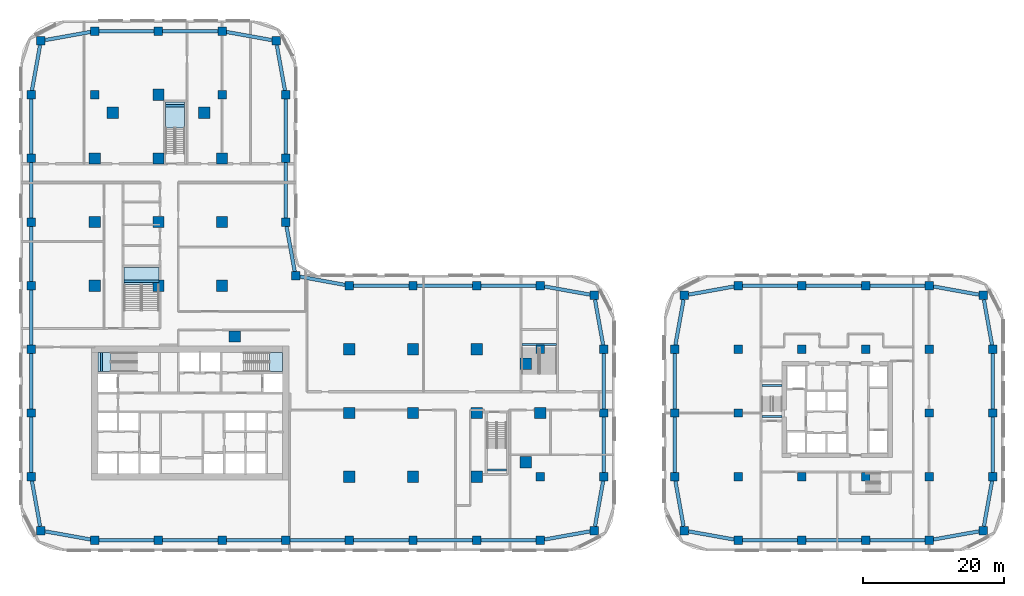
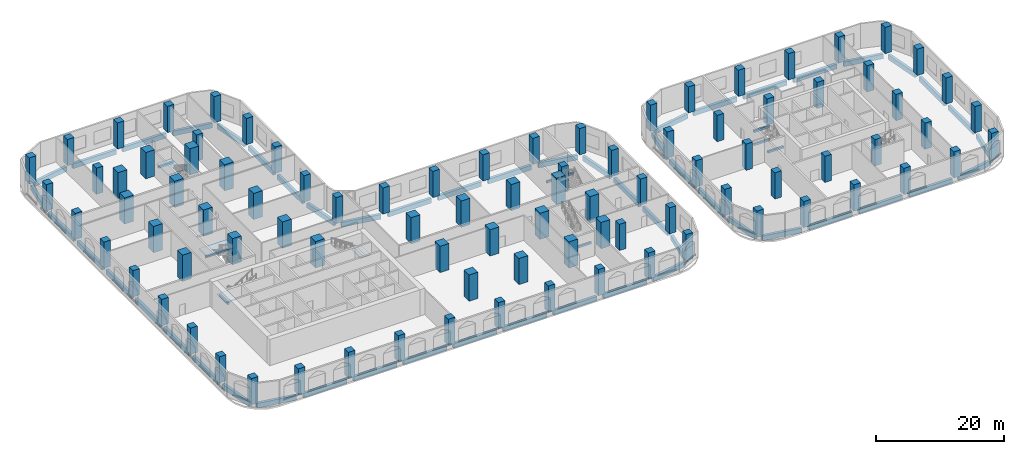
# One storey, part 1 of 31: 91 columns, 60 beams, 4 slabs, 4 elements without a shape of their own.
"""IFC4 building model written with IfcOpenShell, lengths in metres."""

import ifcopenshell
import ifcopenshell.guid

model = None  # the IFC model being written
_history = None  # IfcOwnerHistory: only IFC2X3 demands one
_inside = {}  # id of a spatial element -> (the spatial element, [elements in it])
_under = {}  # id of a project, library or spatial element -> (it, [spatial elements below it])
_declared = {}  # id of a project -> (the project, [libraries it declares])
_typed = {}  # id of a type object -> (the type object, [elements of that type])
_made_of = {}  # id of a material, layer set ... -> (it, [elements and type objects made of it])


def new_model(schema):
    """Start an empty IFC model of exactly this schema.

    Asked for "IFC4X3", IfcOpenShell would pick the latest addendum, in which some entities
    have other attributes; the version numbers below select the first issue.
    IFC2X3 requires an IfcOwnerHistory on every rooted entity: one is made here for all.
    """
    global model, _history
    if schema == "IFC4X3":
        model = ifcopenshell.file(schema_version=(4, 3, 0, 0))
    else:
        model = ifcopenshell.file(schema=schema)
    _inside.clear()
    _under.clear()
    _declared.clear()
    _typed.clear()
    _made_of.clear()
    _history = None
    if model.schema == "IFC2X3":
        org = make("IfcOrganization", Name="unknown")
        user = make(
            "IfcPersonAndOrganization",
            ThePerson=make("IfcPerson", FamilyName="unknown"),
            TheOrganization=org,
        )
        app = make(
            "IfcApplication",
            ApplicationDeveloper=org,
            Version="unknown",
            ApplicationFullName="unknown",
            ApplicationIdentifier="unknown",
        )
        _history = make(
            "IfcOwnerHistory",
            OwningUser=user,
            OwningApplication=app,
            ChangeAction="ADDED",
            CreationDate=0,
        )
    return model


def make(cls, **values):
    """One entity of the class cls with the attributes given. An attribute that is None is left unset."""
    return model.create_entity(
        cls, **{name: value for name, value in values.items() if value is not None}
    )


def rooted(cls, **values):
    """An entity with a GlobalId (a new one), such as an element, a storey or a relation."""
    return make(cls, GlobalId=ifcopenshell.guid.new(), OwnerHistory=_history, **values)


def si_unit(unit_type, name, prefix=None):
    """IfcSIUnit, for example si_unit("LENGTHUNIT", "METRE", prefix="MILLI")."""
    return make("IfcSIUnit", UnitType=unit_type, Prefix=prefix, Name=name)


def assignment(units):
    """IfcUnitAssignment: the units of a project."""
    return None if units is None else make("IfcUnitAssignment", Units=units)


def point(xyz):
    """IfcCartesianPoint."""
    return None if xyz is None else make("IfcCartesianPoint", Coordinates=xyz)


def direction(xyz):
    """IfcDirection."""
    return None if xyz is None else make("IfcDirection", DirectionRatios=xyz)


def frame(location, z_axis=None, x_axis=None):
    """IfcAxis2Placement3D, a coordinate frame: its origin and axes. An axis left out is left unset."""
    return make(
        "IfcAxis2Placement3D",
        Location=point(location),
        Axis=direction(z_axis),
        RefDirection=direction(x_axis),
    )


def frame_2d(location, x_axis=None):
    """IfcAxis2Placement2D, a coordinate frame in the plane: its origin and x axis."""
    return make(
        "IfcAxis2Placement2D", Location=point(location), RefDirection=direction(x_axis)
    )


def origin():
    """The frame at (0, 0, 0) with its axes left unset."""
    return frame((0.0, 0.0, 0.0))


def origin_2d():
    """The frame at (0, 0) in the plane with its x axis left unset."""
    return frame_2d((0.0, 0.0))


def place(relative_to, where):
    """IfcLocalPlacement: puts the frame where relative to a parent placement (None: the world)."""
    return make(
        "IfcLocalPlacement", PlacementRelTo=relative_to, RelativePlacement=where
    )


def context(
    kind, dimensions, precision=None, world=None, true_north=None, identifier=None
):
    """IfcGeometricRepresentationContext, for example the 3D "Model" context."""
    return make(
        "IfcGeometricRepresentationContext",
        ContextIdentifier=identifier,
        ContextType=kind,
        CoordinateSpaceDimension=dimensions,
        Precision=precision,
        WorldCoordinateSystem=world,
        TrueNorth=true_north,
    )


def subcontext(parent, identifier, kind, view, scale=None):
    """IfcGeometricRepresentationSubContext, for example "Body" below "Model"."""
    return make(
        "IfcGeometricRepresentationSubContext",
        ContextIdentifier=identifier,
        ContextType=kind,
        ParentContext=parent,
        TargetScale=scale,
        TargetView=view,
    )


def project(units=None, contexts=None):
    """IfcProject with its units and contexts."""
    return rooted(
        "IfcProject",
        Name="project",
        RepresentationContexts=contexts,
        UnitsInContext=assignment(units),
    )


def spatial(cls, under=None, at=None, **own):
    """A site, building, storey or space (cls), placed at a placement, below another one or the project."""
    s = rooted(cls, ObjectPlacement=at, **own)
    if under is not None:
        _under.setdefault(under.id(), (under, []))[1].append(s)
    return s


def polyline(points):
    """IfcPolyline through the points."""
    return make("IfcPolyline", Points=[point(p) for p in points])


def profile(cls, at=None, kind="AREA", **sizes):
    """A parametric profile (cls). Its sizes go by their IFC names, for example OverallWidth=200.0."""
    return make(cls, ProfileType=kind, Position=at, **sizes)


def rectangle(**sizes):
    """IfcRectangleProfileDef."""
    return profile("IfcRectangleProfileDef", **sizes)


def outline(outer, holes=None, kind="AREA"):
    """IfcArbitraryClosedProfileDef: a profile drawn as a closed curve; with holes, ...WithVoids."""
    if holes is None:
        return make("IfcArbitraryClosedProfileDef", ProfileType=kind, OuterCurve=outer)
    return make(
        "IfcArbitraryProfileDefWithVoids",
        ProfileType=kind,
        OuterCurve=outer,
        InnerCurves=holes,
    )


def extrude(swept, where, along, depth):
    """IfcExtrudedAreaSolid: the profile swept, set in the frame where, extruded along a direction by depth."""
    return make(
        "IfcExtrudedAreaSolid",
        SweptArea=swept,
        Position=where,
        ExtrudedDirection=direction(along),
        Depth=depth,
    )


def shape(context_of_items, identifier, shape_type, items):
    """IfcShapeRepresentation: the items that make up one representation, for example the "Body"."""
    return make(
        "IfcShapeRepresentation",
        ContextOfItems=context_of_items,
        RepresentationIdentifier=identifier,
        RepresentationType=shape_type,
        Items=items,
    )


def material(Name=None, Category=None):
    """IfcMaterial."""
    return make("IfcMaterial", Name=Name, Category=Category)


def layer(
    of_material, thickness, ventilated=None, Name=None, Category=None, Priority=None
):
    """IfcMaterialLayer: one layer of a wall or slab, of a material (None: an air gap)."""
    return make(
        "IfcMaterialLayer",
        Material=of_material,
        LayerThickness=thickness,
        IsVentilated=ventilated,
        Name=Name,
        Category=Category,
        Priority=Priority,
    )


def layer_set(layers, Name=None):
    """IfcMaterialLayerSet."""
    return make("IfcMaterialLayerSet", MaterialLayers=layers, LayerSetName=Name)


def material_profile(
    of_material, cross_section, Name=None, Category=None, Priority=None
):
    """IfcMaterialProfile: a cross section and its material."""
    return make(
        "IfcMaterialProfile",
        Name=Name,
        Material=of_material,
        Profile=cross_section,
        Priority=Priority,
        Category=Category,
    )


def profile_set(profiles, Name=None, composite=None):
    """IfcMaterialProfileSet."""
    return make(
        "IfcMaterialProfileSet",
        Name=Name,
        MaterialProfiles=profiles,
        CompositeProfile=composite,
    )


def made_of(thing, what):
    """Note that an element or type object is made of a material, layer set ...; save() writes the relation."""
    if what is not None:
        _made_of.setdefault(what.id(), (what, []))[1].append(thing)
    return thing


def type_object(cls, material=None, **own):
    """A type object (cls), such as IfcWallType, which elements share."""
    return made_of(rooted(cls, **own), material)


def element(
    cls,
    number,
    at=None,
    inside=None,
    cuts=None,
    type_object=None,
    material=None,
    context=None,
    identifier="Body",
    shape_type=None,
    held_by="IfcProductDefinitionShape",
    body=None,
    shapes=None,
    **own,
):
    """One element of the class cls, such as IfcWall. Its Tag is "e" and its number.

    at: its placement. inside: the storey or other place that contains it. cuts: it is an
    opening in that element (IfcRelVoidsElement). A single representation is given by context,
    identifier, shape_type and body (its items); several are given by shapes. held_by: the class
    of the entity that holds the representations. save() writes the other relations.
    """
    e = rooted(cls, Tag="e%d" % number, ObjectPlacement=at, **own)
    if body is not None:
        shapes = [shape(context, identifier, shape_type, body)]
    if shapes is not None:
        e.Representation = make(held_by, Representations=shapes)
    if inside is not None:
        _inside.setdefault(inside.id(), (inside, []))[1].append(e)
    if cuts is not None:
        rooted(
            "IfcRelVoidsElement", RelatingBuildingElement=cuts, RelatedOpeningElement=e
        )
    if type_object is not None:
        _typed.setdefault(type_object.id(), (type_object, []))[1].append(e)
    return made_of(e, material)


def aggregate(whole, parts):
    """IfcRelAggregates: a whole, such as a stair, and the parts it consists of."""
    return rooted("IfcRelAggregates", RelatingObject=whole, RelatedObjects=parts)


def save(model, path):
    """Write the relations noted so far, then the file.

    IfcRelAggregates (storeys below a building ...), IfcRelContainedInSpatialStructure (elements
    in a storey), IfcRelDefinesByType, IfcRelAssociatesMaterial and IfcRelDeclares: one each for
    every whole, place, type object, material and project.
    """
    for whole, parts in _under.values():
        aggregate(whole, parts)
    for where, things in _inside.values():
        rooted(
            "IfcRelContainedInSpatialStructure",
            RelatedElements=things,
            RelatingStructure=where,
        )
    for kind, things in _typed.values():
        rooted("IfcRelDefinesByType", RelatedObjects=things, RelatingType=kind)
    for what, things in _made_of.values():
        rooted("IfcRelAssociatesMaterial", RelatedObjects=things, RelatingMaterial=what)
    for by, libraries in _declared.values():
        rooted("IfcRelDeclares", RelatingContext=by, RelatedDefinitions=libraries)
    model.write(path)


model = new_model("IFC4")

# Units and contexts
model_context = context("Model", 3, precision=1e-05, world=origin(), true_north=direction((0.0, 1.0)))
body_context = subcontext(model_context, "Body", "Model", "MODEL_VIEW")
ifc_project = project(units=[si_unit("LENGTHUNIT", "METRE"), si_unit("AREAUNIT", "SQUARE_METRE"), si_unit("VOLUMEUNIT", "CUBIC_METRE"), si_unit("PLANEANGLEUNIT", "RADIAN"), si_unit("MASSUNIT", "GRAM", prefix="KILO")], contexts=[model_context])

# Site, building, storey
site_placement = place(None, origin())
site = spatial("IfcSite", under=ifc_project, at=site_placement, CompositionType="ELEMENT")
building_placement = place(site_placement, origin())
building = spatial("IfcBuilding", under=site, at=building_placement, Name="Ogive Portal Towers", CompositionType="ELEMENT")
storey_placement = place(building_placement, frame((0.0, 0.0, 13.5)))
storey = spatial("IfcBuildingStorey", under=building, at=storey_placement, Name="L02", CompositionType="ELEMENT", Elevation=13.5)

# Columns
ifc_material_1 = material(Name="Concrete C50/60", Category="concrete")
ifc_material_profile_1 = material_profile(ifc_material_1, rectangle(XDim=1.199951171875, YDim=1.199951171875, at=origin_2d()), Name="RC 1200x1200")
ifc_profile_set_1 = profile_set([ifc_material_profile_1], Name="Concrete C50/60")
column_type_1 = type_object("IfcColumnType", Name="COLUMN RC 1200x1200", PredefinedType="COLUMN", material=ifc_profile_set_1)
for number, where, z_axis, x_axis, name in (
    (1, (31.5, 12.5, 0.0), (0.0, 0.0, 1.0), (1.0, 0.0, 0.0), "Column 1/Z L02"),
    (2, (40.5, 12.5, 0.0), (0.0, 0.0, 1.0), (1.0, 0.0, 0.0), "Column 2/Z L02"),
    (3, (49.5, 12.5, 0.0), (0.0, 0.0, 1.0), (1.0, 0.0, 0.0), "Column 3/Z L02"),
    (4, (58.5, 12.5, 0.0), (0.0, 0.0, 1.0), (1.0, 0.0, 0.0), "Column 4/Z L02"),
    (5, (67.5, 12.5, 0.0), (0.0, 0.0, 1.0), (1.0, 0.0, 0.0), "Column 5/Z L02"),
    (6, (76.5, 12.5, 0.0), (0.0, 0.0, 1.0), (1.0, 0.0, 0.0), "Column 6/Z L02"),
    (7, (85.5, 12.5, 0.0), (0.0, 0.0, 1.0), (1.0, 0.0, 0.0), "Column 7/Z L02"),
    (8, (94.5, 12.5, 0.0), (0.0, 0.0, 1.0), (1.0, 0.0, 0.0), "Column 8/Z L02"),
    (9, (23.8701171875, 13.8701171875, 0.0), (0.0, 0.0, 1.0), (1.0, 0.0, 0.0), "Column L02"),
    (10, (102.1298828125, 13.8701171875, 0.0), (0.0, 0.0, 1.0), (1.0, 0.0, 0.0), "Column L02"),
    (11, (22.5, 21.5, 0.0), (0.0, 0.0, 1.0), (1.0, 0.0, 0.0), "Column 0/A L02"),
    (12, (94.5, 21.5, 0.0), (0.0, 0.0, 1.0), (1.0, 0.0, 0.0), "Column 8/A L02"),
    (13, (103.5, 21.5, 0.0), (0.0, 0.0, 1.0), (1.0, 0.0, 0.0), "Column 9/A L02"),
    (14, (22.5, 30.5, 0.0), (0.0, 0.0, 1.0), (1.0, 0.0, 0.0), "Column 0/B L02"),
    (15, (103.5, 30.5, 0.0), (0.0, 0.0, 1.0), (1.0, 0.0, 0.0), "Column 9/B L02"),
    (16, (22.5, 39.5, 0.0), (0.0, 0.0, 1.0), (1.0, 0.0, 0.0), "Column 0/C L02"),
    (17, (94.5, 39.5, 0.0), (0.0, 0.0, 1.0), (1.0, 0.0, 0.0), "Column 8/C L02"),
    (18, (103.5, 39.5, 0.0), (0.0, 0.0, 1.0), (1.0, 0.0, 0.0), "Column 9/C L02"),
    (19, (102.1298828125, 47.1298828125, 0.0), (0.0, 0.0, 1.0), (1.0, 0.0, 0.0), "Column L02"),
    (20, (22.5, 48.5, 0.0), (0.0, 0.0, 1.0), (1.0, 0.0, 0.0), "Column 0/D L02"),
    (21, (67.5, 48.5, 0.0), (0.0, 0.0, 1.0), (1.0, 0.0, 0.0), "Column 5/D L02"),
    (22, (76.5, 48.5, 0.0), (0.0, 0.0, 1.0), (1.0, 0.0, 0.0), "Column 6/D L02"),
    (23, (85.5, 48.5, 0.0), (0.0, 0.0, 1.0), (1.0, 0.0, 0.0), "Column 7/D L02"),
    (24, (94.5, 48.5, 0.0), (0.0, 0.0, 1.0), (1.0, 0.0, 0.0), "Column 8/D L02"),
    (25, (59.889892578125, 49.889892578125, 0.0), (0.0, 0.0, 1.0), (1.0, 0.0, 0.0), "Column L02"),
    (26, (22.5, 57.5, 0.0), (0.0, 0.0, 1.0), (1.0, 0.0, 0.0), "Column 0/E L02"),
    (27, (58.5, 57.5, 0.0), (0.0, 0.0, 1.0), (1.0, 0.0, 0.0), "Column 4/E L02"),
    (28, (22.5, 66.5, 0.0), (0.0, 0.0, 1.0), (1.0, 0.0, 0.0), "Column 0/F L02"),
    (29, (58.5, 66.5, 0.0), (0.0, 0.0, 1.0), (1.0, 0.0, 0.0), "Column 4/F L02"),
    (30, (22.5, 75.5, 0.0), (0.0, 0.0, 1.0), (1.0, 0.0, 0.0), "Column 0/G L02"),
    (31, (31.5, 75.5, 0.0), (0.0, 0.0, 1.0), (1.0, 0.0, 0.0), "Column 1/G L02"),
    (32, (49.5, 75.5, 0.0), (0.0, 0.0, 1.0), (1.0, 0.0, 0.0), "Column 3/G L02"),
    (33, (58.5, 75.5, 0.0), (0.0, 0.0, 1.0), (1.0, 0.0, 0.0), "Column 4/G L02"),
    (34, (23.8701171875, 83.1298828125, 0.0), (0.0, 0.0, 1.0), (1.0, 0.0, 0.0), "Column L02"),
    (35, (57.1298828125, 83.1298828125, 0.0), (0.0, 0.0, 1.0), (1.0, 0.0, 0.0), "Column L02"),
    (36, (31.5, 84.5, 0.0), (0.0, 0.0, 1.0), (1.0, 0.0, 0.0), "Column 1/H1 L02"),
    (37, (40.5, 84.5, 0.0), (0.0, 0.0, 1.0), (1.0, 0.0, 0.0), "Column 2/H1 L02"),
    (38, (49.5, 84.5, 0.0), (0.0, 0.0, 1.0), (1.0, 0.0, 0.0), "Column 3/H1 L02"),
    (39, (122.5, 12.5, 0.0), (0.0, 0.0, 1.0), (1.0, 0.0, 0.0), "Column P2/Q1 L02"),
    (40, (131.5, 12.5, 0.0), (0.0, 0.0, 1.0), (1.0, 0.0, 0.0), "Column P3/Q1 L02"),
    (41, (140.5, 12.5, 0.0), (0.0, 0.0, 1.0), (1.0, 0.0, 0.0), "Column P4/Q1 L02"),
    (42, (149.5, 12.5, 0.0), (0.0, 0.0, 1.0), (1.0, 0.0, 0.0), "Column P5/Q1 L02"),
    (43, (114.8701171875, 13.8701171875, 0.0), (0.0, 0.0, 1.0), (1.0, 0.0, 0.0), "Column L02"),
    (44, (157.1298828125, 13.8701171875, 0.0), (0.0, 0.0, 1.0), (1.0, 0.0, 0.0), "Column L02"),
    (45, (113.5, 21.5, 0.0), (0.0, 0.0, 1.0), (1.0, 0.0, 0.0), "Column P1/Q2 L02"),
    (46, (122.5, 21.5, 0.0), (0.0, 0.0, 1.0), (1.0, 0.0, 0.0), "Column P2/Q2 L02"),
    (47, (131.5, 21.5, 0.0), (0.0, 0.0, 1.0), (1.0, 0.0, 0.0), "Column P3/Q2 L02"),
    (48, (140.5, 21.5, 0.0), (0.0, 0.0, 1.0), (1.0, 0.0, 0.0), "Column P4/Q2 L02"),
    (49, (149.5, 21.5, 0.0), (0.0, 0.0, 1.0), (1.0, 0.0, 0.0), "Column P5/Q2 L02"),
    (50, (158.5, 21.5, 0.0), (0.0, 0.0, 1.0), (1.0, 0.0, 0.0), "Column P6/Q2 L02"),
    (51, (113.5, 30.5, 0.0), (0.0, 0.0, 1.0), (1.0, 0.0, 0.0), "Column P1/Q3 L02"),
    (52, (122.5, 30.5, 0.0), (0.0, 0.0, 1.0), (1.0, 0.0, 0.0), "Column P2/Q3 L02"),
    (53, (149.5, 30.5, 0.0), (0.0, 0.0, 1.0), (1.0, 0.0, 0.0), "Column P5/Q3 L02"),
    (54, (158.5, 30.5, 0.0), (0.0, 0.0, 1.0), (1.0, 0.0, 0.0), "Column P6/Q3 L02"),
    (55, (113.5, 39.5, 0.0), (0.0, 0.0, 1.0), (1.0, 0.0, 0.0), "Column P1/Q4 L02"),
    (56, (122.5, 39.5, 0.0), (0.0, 0.0, 1.0), (1.0, 0.0, 0.0), "Column P2/Q4 L02"),
    (57, (131.5, 39.5, 0.0), (0.0, 0.0, 1.0), (1.0, 0.0, 0.0), "Column P3/Q4 L02"),
    (58, (140.5, 39.5, 0.0), (0.0, 0.0, 1.0), (1.0, 0.0, 0.0), "Column P4/Q4 L02"),
    (59, (149.5, 39.5, 0.0), (0.0, 0.0, 1.0), (1.0, 0.0, 0.0), "Column P5/Q4 L02"),
    (60, (158.5, 39.5, 0.0), (0.0, 0.0, 1.0), (1.0, 0.0, 0.0), "Column P6/Q4 L02"),
    (61, (114.8701171875, 47.1298828125, 0.0), (0.0, 0.0, 1.0), (1.0, 0.0, 0.0), "Column L02"),
    (62, (157.1298828125, 47.1298828125, 0.0), (0.0, 0.0, 1.0), (1.0, 0.0, 0.0), "Column L02"),
    (63, (122.5, 48.5, 0.0), (0.0, 0.0, 1.0), (1.0, 0.0, 0.0), "Column P2/Q5 L02"),
    (64, (131.5, 48.5, 0.0), (0.0, 0.0, 1.0), (1.0, 0.0, 0.0), "Column P3/Q5 L02"),
    (65, (140.5, 48.5, 0.0), (0.0, 0.0, 1.0), (1.0, 0.0, 0.0), "Column P4/Q5 L02"),
    (66, (149.5, 48.5, 0.0), (0.0, 0.0, 1.0), (1.0, 0.0, 0.0), "Column P5/Q5 L02"),
):
    element("IfcColumn", number, at=place(storey_placement, frame(where, z_axis=z_axis, x_axis=x_axis)), inside=storey, type_object=column_type_1, Name=name, PredefinedType="COLUMN", context=body_context, shape_type="SweptSolid", body=[
        extrude(rectangle(XDim=1.199951171875, YDim=1.199951171875, at=origin_2d()), origin(), (0.0, 0.0, 1.0), 5.0),
    ])
ifc_material_2 = material(Name="Concrete C60/75", Category="concrete")
ifc_material_profile_2 = material_profile(ifc_material_2, rectangle(XDim=1.60009765625, YDim=1.60009765625, at=origin_2d()), Name="RC 1600x1600")
ifc_profile_set_2 = profile_set([ifc_material_profile_2], Name="Concrete C60/75")
column_type_2 = type_object("IfcColumnType", Name="COLUMN RC 1600x1600", PredefinedType="COLUMN", material=ifc_profile_set_2)
for number, where, z_axis, x_axis, name in (
    (67, (67.5, 21.5, 0.0), (0.0, 0.0, 1.0), (1.0, 0.0, 0.0), "Column 5/A L02"),
    (68, (76.5, 21.5, 0.0), (0.0, 0.0, 1.0), (1.0, 0.0, 0.0), "Column 6/A L02"),
    (69, (85.5, 21.5, 0.0), (0.0, 0.0, 1.0), (1.0, 0.0, 0.0), "Column 7/A L02"),
    (70, (67.5, 30.5, 0.0), (0.0, 0.0, 1.0), (1.0, 0.0, 0.0), "Column 5/B L02"),
    (71, (76.5, 30.5, 0.0), (0.0, 0.0, 1.0), (1.0, 0.0, 0.0), "Column 6/B L02"),
    (72, (85.5, 30.5, 0.0), (0.0, 0.0, 1.0), (1.0, 0.0, 0.0), "Column 7/B L02"),
    (73, (94.5, 30.5, 0.0), (0.0, 0.0, 1.0), (1.0, 0.0, 0.0), "Column 8/B L02"),
    (74, (67.5, 39.5, 0.0), (0.0, 0.0, 1.0), (1.0, 0.0, 0.0), "Column 5/C L02"),
    (75, (76.5, 39.5, 0.0), (0.0, 0.0, 1.0), (1.0, 0.0, 0.0), "Column 6/C L02"),
    (76, (85.5, 39.5, 0.0), (0.0, 0.0, 1.0), (1.0, 0.0, 0.0), "Column 7/C L02"),
    (77, (31.5, 48.5, 0.0), (0.0, 0.0, 1.0), (1.0, 0.0, 0.0), "Column 1/D L02"),
    (78, (40.5, 48.5, 0.0), (0.0, 0.0, 1.0), (1.0, 0.0, 0.0), "Column 2/D L02"),
    (79, (49.5, 48.5, 0.0), (0.0, 0.0, 1.0), (1.0, 0.0, 0.0), "Column 3/D L02"),
    (80, (31.5, 57.5, 0.0), (0.0, 0.0, 1.0), (1.0, 0.0, 0.0), "Column 1/E L02"),
    (81, (40.5, 57.5, 0.0), (0.0, 0.0, 1.0), (1.0, 0.0, 0.0), "Column 2/E L02"),
    (82, (49.5, 57.5, 0.0), (0.0, 0.0, 1.0), (1.0, 0.0, 0.0), "Column 3/E L02"),
    (83, (31.5, 66.5, 0.0), (0.0, 0.0, 1.0), (1.0, 0.0, 0.0), "Column 1/F L02"),
    (84, (40.5, 66.5, 0.0), (0.0, 0.0, 1.0), (1.0, 0.0, 0.0), "Column 2/F L02"),
    (85, (49.5, 66.5, 0.0), (0.0, 0.0, 1.0), (1.0, 0.0, 0.0), "Column 3/F L02"),
    (86, (40.5, 75.5, 0.0), (0.0, 0.0, 1.0), (1.0, 0.0, 0.0), "Column 2/G L02"),
    (87, (34.030029296875, 72.969970703125, 0.0), (0.0, 0.0, 1.0), (1.0, 0.0, 0.0), "Column L02"),
    (88, (46.969970703125, 72.969970703125, 0.0), (0.0, 0.0, 1.0), (1.0, 0.0, 0.0), "Column L02"),
    (89, (51.31005859375, 41.31005859375, 0.0), (0.0, 0.0, 1.0), (1.0, 0.0, 0.0), "Column L02"),
    (90, (92.449951171875, 23.550048828125, 0.0), (0.0, 0.0, 1.0), (1.0, 0.0, 0.0), "Column L02"),
    (91, (92.449951171875, 37.449951171875, 0.0), (0.0, 0.0, 1.0), (1.0, 0.0, 0.0), "Column L02"),
):
    element("IfcColumn", number, at=place(storey_placement, frame(where, z_axis=z_axis, x_axis=x_axis)), inside=storey, type_object=column_type_2, Name=name, PredefinedType="COLUMN", context=body_context, shape_type="SweptSolid", body=[
        extrude(rectangle(XDim=1.60009765625, YDim=1.60009765625, at=origin_2d()), origin(), (0.0, 0.0, 1.0), 5.0),
    ])

# Beams
ifc_material_3 = material(Name="Concrete C40/50", Category="concrete")
ifc_material_profile_3 = material_profile(ifc_material_3, rectangle(XDim=0.300048828125, YDim=0.39990234375, at=origin_2d()), Name="RC 300x400")
ifc_profile_set_3 = profile_set([ifc_material_profile_3], Name="Concrete C40/50")
beam_type_1 = type_object("IfcBeamType", Name="BEAM RC 300x400", PredefinedType="BEAM", material=ifc_profile_set_3)
for number, where, z_axis, x_axis, name in (
    (92, (32.449951171875, 36.35009765625, 2.10009765625), (0.0, 1.0, 0.0), (-1.0, 0.0, 0.0), "Landing beam L02"),
    (93, (41.5, 73.949951171875, 2.10009765625), (1.0, 0.0, 0.0), (0.0, 1.0, 0.0), "Landing beam L02"),
    (94, (87.0, 22.449951171875, 2.10009765625), (1.0, 0.0, 0.0), (0.0, 1.0, 0.0), "Landing beam L02"),
):
    element("IfcBeam", number, at=place(storey_placement, frame(where, z_axis=z_axis, x_axis=x_axis)), inside=storey, type_object=beam_type_1, Name=name, PredefinedType="BEAM", context=body_context, shape_type="SweptSolid", body=[
        extrude(rectangle(XDim=0.300048828125, YDim=0.39990234375, at=origin_2d()), origin(), (0.0, 0.0, 1.0), 2.699951171875),
    ])
for number, where, z_axis, x_axis, name in (
    (95, (125.85009765625, 34.39990234375, 0.85009765625), (1.0, 0.0, 0.0), (0.0, 1.0, 0.0), "Landing beam L02"),
    (96, (125.85009765625, 30.0, 2.10009765625), (1.0, 0.0, 0.0), (0.0, 1.0, 0.0), "Landing beam L02"),
    (97, (125.85009765625, 34.39990234375, 3.35009765625), (1.0, 0.0, 0.0), (0.0, 1.0, 0.0), "Landing beam L02"),
):
    element("IfcBeam", number, at=place(storey_placement, frame(where, z_axis=z_axis, x_axis=x_axis)), inside=storey, type_object=beam_type_1, Name=name, PredefinedType="BEAM", context=body_context, shape_type="SweptSolid", body=[
        extrude(rectangle(XDim=0.300048828125, YDim=0.39990234375, at=origin_2d()), origin(), (0.0, 0.0, 1.0), 2.849853515625),
    ])
for number, where, z_axis, x_axis, name in (
    (98, (91.89990234375, 40.18994140625, 2.10009765625), (1.0, 0.0, 0.0), (0.0, 1.0, 0.0), "Landing beam L02"),
    (99, (35.64990234375, 49.139892578125, 2.10009765625), (1.0, 0.0, 0.0), (0.0, 1.0, 0.0), "Landing beam L02"),
):
    element("IfcBeam", number, at=place(storey_placement, frame(where, z_axis=z_axis, x_axis=x_axis)), inside=storey, type_object=beam_type_1, Name=name, PredefinedType="BEAM", context=body_context, shape_type="SweptSolid", body=[
        extrude(rectangle(XDim=0.300048828125, YDim=0.39990234375, at=origin_2d()), origin(), (0.0, 0.0, 1.0), 4.900146484375),
    ])
ifc_material_profile_4 = material_profile(ifc_material_1, rectangle(XDim=0.5, YDim=0.89990234375, at=origin_2d()), Name="RC 500x900")
ifc_profile_set_4 = profile_set([ifc_material_profile_4], Name="Concrete C50/60")
beam_type_2 = type_object("IfcBeamType", Name="PODIUM GIRDER RC 500x900", PredefinedType="BEAM", material=ifc_profile_set_4)
beam_1_placement = place(storey_placement, frame((24.469970703125, 13.76220703125, -0.75), z_axis=(0.984259207685, -0.176730903032, 0.0), x_axis=(0.176730903032, 0.984259207685, 0.0)))
element("IfcBeam", 100, at=beam_1_placement, inside=storey, type_object=beam_type_2, Name="Spandrel beam L02", PredefinedType="BEAM", context=body_context, shape_type="SweptSolid", body=[
    extrude(rectangle(XDim=0.5, YDim=0.89990234375, at=origin_2d()), origin(), (0.0, 0.0, 1.0), 6.53271484375),
])
for number, where, z_axis, x_axis, name in (
    (101, (32.10009765625, 12.5, -0.75), (1.0, 0.0, 0.0), (0.0, 1.0, 0.0), "Spandrel beam L02"),
    (102, (41.10009765625, 12.5, -0.75), (1.0, 0.0, 0.0), (0.0, 1.0, 0.0), "Spandrel beam L02"),
    (103, (50.10009765625, 12.5, -0.75), (1.0, 0.0, 0.0), (0.0, 1.0, 0.0), "Spandrel beam L02"),
    (104, (59.10009765625, 12.5, -0.75), (1.0, 0.0, 0.0), (0.0, 1.0, 0.0), "Spandrel beam L02"),
    (105, (68.10009765625, 12.5, -0.75), (1.0, 0.0, 0.0), (0.0, 1.0, 0.0), "Spandrel beam L02"),
    (106, (77.10009765625, 12.5, -0.75), (1.0, 0.0, 0.0), (0.0, 1.0, 0.0), "Spandrel beam L02"),
    (107, (86.10009765625, 12.5, -0.75), (1.0, 0.0, 0.0), (0.0, 1.0, 0.0), "Spandrel beam L02"),
):
    element("IfcBeam", number, at=place(storey_placement, frame(where, z_axis=z_axis, x_axis=x_axis)), inside=storey, type_object=beam_type_2, Name=name, PredefinedType="BEAM", context=body_context, shape_type="SweptSolid", body=[
        extrude(rectangle(XDim=0.5, YDim=0.89990234375, at=origin_2d()), origin(), (0.0, 0.0, 1.0), 7.7998046875),
    ])
for number, where, z_axis, x_axis, name in (
    (108, (95.10009765625, 12.607666015625, -0.75), (0.984259207685, 0.176730903032, 0.0), (-0.176730903032, 0.984259207685, 0.0), "Spandrel beam L02"),
    (109, (102.23779296875, 14.469970703125, -0.75), (0.176730903032, 0.984259207685, 0.0), (-0.984259207685, 0.176730903032, 0.0), "Spandrel beam L02"),
):
    element("IfcBeam", number, at=place(storey_placement, frame(where, z_axis=z_axis, x_axis=x_axis)), inside=storey, type_object=beam_type_2, Name=name, PredefinedType="BEAM", context=body_context, shape_type="SweptSolid", body=[
        extrude(rectangle(XDim=0.5, YDim=0.89990234375, at=origin_2d()), origin(), (0.0, 0.0, 1.0), 6.53271484375),
    ])
for number, where, z_axis, x_axis, name in (
    (110, (103.5, 22.10009765625, -0.75), (0.0, 1.0, 0.0), (-1.0, 0.0, 0.0), "Spandrel beam L02"),
    (111, (103.5, 31.10009765625, -0.75), (0.0, 1.0, 0.0), (-1.0, 0.0, 0.0), "Spandrel beam L02"),
):
    element("IfcBeam", number, at=place(storey_placement, frame(where, z_axis=z_axis, x_axis=x_axis)), inside=storey, type_object=beam_type_2, Name=name, PredefinedType="BEAM", context=body_context, shape_type="SweptSolid", body=[
        extrude(rectangle(XDim=0.5, YDim=0.89990234375, at=origin_2d()), origin(), (0.0, 0.0, 1.0), 7.7998046875),
    ])
for number, where, z_axis, x_axis, name in (
    (112, (103.392333984375, 40.10009765625, -0.75), (-0.176730903032, 0.984259207685, 0.0), (-0.984259207685, -0.176730903032, 0.0), "Spandrel beam L02"),
    (113, (101.530029296875, 47.23779296875, -0.75), (-0.984259207685, 0.176730903032, 0.0), (-0.176730903032, -0.984259207685, 0.0), "Spandrel beam L02"),
):
    element("IfcBeam", number, at=place(storey_placement, frame(where, z_axis=z_axis, x_axis=x_axis)), inside=storey, type_object=beam_type_2, Name=name, PredefinedType="BEAM", context=body_context, shape_type="SweptSolid", body=[
        extrude(rectangle(XDim=0.5, YDim=0.89990234375, at=origin_2d()), origin(), (0.0, 0.0, 1.0), 6.53271484375),
    ])
for number, where, z_axis, x_axis, name in (
    (114, (93.89990234375, 48.5, -0.75), (-1.0, 0.0, 0.0), (0.0, -1.0, 0.0), "Spandrel beam L02"),
    (115, (84.89990234375, 48.5, -0.75), (-1.0, 0.0, 0.0), (0.0, -1.0, 0.0), "Spandrel beam L02"),
    (116, (75.89990234375, 48.5, -0.75), (-1.0, 0.0, 0.0), (0.0, -1.0, 0.0), "Spandrel beam L02"),
):
    element("IfcBeam", number, at=place(storey_placement, frame(where, z_axis=z_axis, x_axis=x_axis)), inside=storey, type_object=beam_type_2, Name=name, PredefinedType="BEAM", context=body_context, shape_type="SweptSolid", body=[
        extrude(rectangle(XDim=0.5, YDim=0.89990234375, at=origin_2d()), origin(), (0.0, 0.0, 1.0), 7.7998046875),
    ])
for number, where, z_axis, x_axis, name in (
    (117, (66.89990234375, 48.609619140625, -0.75), (-0.983722101747, 0.179696484478, 0.0), (-0.179696484478, -0.983722101747, 0.0), "Spandrel beam L02"),
    (118, (59.780517578125, 50.489990234375, -0.75), (-0.179696484478, 0.983722101747, 0.0), (-0.983722101747, -0.179696484478, 0.0), "Spandrel beam L02"),
):
    element("IfcBeam", number, at=place(storey_placement, frame(where, z_axis=z_axis, x_axis=x_axis)), inside=storey, type_object=beam_type_2, Name=name, PredefinedType="BEAM", context=body_context, shape_type="SweptSolid", body=[
        extrude(rectangle(XDim=0.5, YDim=0.89990234375, at=origin_2d()), origin(), (0.0, 0.0, 1.0), 6.515869140625),
    ])
for number, where, z_axis, x_axis, name in (
    (119, (58.5, 58.10009765625, -0.75), (0.0, 1.0, 0.0), (-1.0, 0.0, 0.0), "Spandrel beam L02"),
    (120, (58.5, 67.10009765625, -0.75), (0.0, 1.0, 0.0), (-1.0, 0.0, 0.0), "Spandrel beam L02"),
):
    element("IfcBeam", number, at=place(storey_placement, frame(where, z_axis=z_axis, x_axis=x_axis)), inside=storey, type_object=beam_type_2, Name=name, PredefinedType="BEAM", context=body_context, shape_type="SweptSolid", body=[
        extrude(rectangle(XDim=0.5, YDim=0.89990234375, at=origin_2d()), origin(), (0.0, 0.0, 1.0), 7.7998046875),
    ])
for number, where, z_axis, x_axis, name in (
    (121, (58.392333984375, 76.10009765625, -0.75), (-0.176730903032, 0.984259207685, 0.0), (-0.984259207685, -0.176730903032, 0.0), "Spandrel beam L02"),
    (122, (56.530029296875, 83.23779296875, -0.75), (-0.984259207685, 0.176730903032, 0.0), (-0.176730903032, -0.984259207685, 0.0), "Spandrel beam L02"),
):
    element("IfcBeam", number, at=place(storey_placement, frame(where, z_axis=z_axis, x_axis=x_axis)), inside=storey, type_object=beam_type_2, Name=name, PredefinedType="BEAM", context=body_context, shape_type="SweptSolid", body=[
        extrude(rectangle(XDim=0.5, YDim=0.89990234375, at=origin_2d()), origin(), (0.0, 0.0, 1.0), 6.53271484375),
    ])
for number, where, z_axis, x_axis, name in (
    (123, (48.89990234375, 84.5, -0.75), (-1.0, 0.0, 0.0), (0.0, -1.0, 0.0), "Spandrel beam L02"),
    (124, (39.89990234375, 84.5, -0.75), (-1.0, 0.0, 0.0), (0.0, -1.0, 0.0), "Spandrel beam L02"),
):
    element("IfcBeam", number, at=place(storey_placement, frame(where, z_axis=z_axis, x_axis=x_axis)), inside=storey, type_object=beam_type_2, Name=name, PredefinedType="BEAM", context=body_context, shape_type="SweptSolid", body=[
        extrude(rectangle(XDim=0.5, YDim=0.89990234375, at=origin_2d()), origin(), (0.0, 0.0, 1.0), 7.7998046875),
    ])
for number, where, z_axis, x_axis, name in (
    (125, (30.89990234375, 84.392333984375, -0.75), (-0.984259207685, -0.176730903032, 0.0), (0.176730903032, -0.984259207685, 0.0), "Spandrel beam L02"),
    (126, (23.76220703125, 82.530029296875, -0.75), (-0.176730903032, -0.984259207685, 0.0), (0.984259207685, -0.176730903032, 0.0), "Spandrel beam L02"),
):
    element("IfcBeam", number, at=place(storey_placement, frame(where, z_axis=z_axis, x_axis=x_axis)), inside=storey, type_object=beam_type_2, Name=name, PredefinedType="BEAM", context=body_context, shape_type="SweptSolid", body=[
        extrude(rectangle(XDim=0.5, YDim=0.89990234375, at=origin_2d()), origin(), (0.0, 0.0, 1.0), 6.53271484375),
    ])
for number, where, z_axis, x_axis, name in (
    (127, (22.5, 74.89990234375, -0.75), (0.0, -1.0, 0.0), (1.0, 0.0, 0.0), "Spandrel beam L02"),
    (128, (22.5, 65.89990234375, -0.75), (0.0, -1.0, 0.0), (1.0, 0.0, 0.0), "Spandrel beam L02"),
    (129, (22.5, 56.89990234375, -0.75), (0.0, -1.0, 0.0), (1.0, 0.0, 0.0), "Spandrel beam L02"),
    (130, (22.5, 47.89990234375, -0.75), (0.0, -1.0, 0.0), (1.0, 0.0, 0.0), "Spandrel beam L02"),
    (131, (22.5, 38.89990234375, -0.75), (0.0, -1.0, 0.0), (1.0, 0.0, 0.0), "Spandrel beam L02"),
    (132, (22.5, 29.89990234375, -0.75), (0.0, -1.0, 0.0), (1.0, 0.0, 0.0), "Spandrel beam L02"),
):
    element("IfcBeam", number, at=place(storey_placement, frame(where, z_axis=z_axis, x_axis=x_axis)), inside=storey, type_object=beam_type_2, Name=name, PredefinedType="BEAM", context=body_context, shape_type="SweptSolid", body=[
        extrude(rectangle(XDim=0.5, YDim=0.89990234375, at=origin_2d()), origin(), (0.0, 0.0, 1.0), 7.7998046875),
    ])
for number, where, z_axis, x_axis, name in (
    (133, (22.607666015625, 20.89990234375, -0.75), (0.176730903032, -0.984259207685, 0.0), (0.984259207685, 0.176730903032, 0.0), "Spandrel beam L02"),
    (134, (115.469970703125, 13.76220703125, -0.75), (0.984259207685, -0.176730903032, 0.0), (0.176730903032, 0.984259207685, 0.0), "Spandrel beam L02"),
):
    element("IfcBeam", number, at=place(storey_placement, frame(where, z_axis=z_axis, x_axis=x_axis)), inside=storey, type_object=beam_type_2, Name=name, PredefinedType="BEAM", context=body_context, shape_type="SweptSolid", body=[
        extrude(rectangle(XDim=0.5, YDim=0.89990234375, at=origin_2d()), origin(), (0.0, 0.0, 1.0), 6.53271484375),
    ])
for number, where, z_axis, x_axis, name in (
    (135, (123.10009765625, 12.5, -0.75), (1.0, 0.0, 0.0), (0.0, 1.0, 0.0), "Spandrel beam L02"),
    (136, (132.10009765625, 12.5, -0.75), (1.0, 0.0, 0.0), (0.0, 1.0, 0.0), "Spandrel beam L02"),
    (137, (141.10009765625, 12.5, -0.75), (1.0, 0.0, 0.0), (0.0, 1.0, 0.0), "Spandrel beam L02"),
):
    element("IfcBeam", number, at=place(storey_placement, frame(where, z_axis=z_axis, x_axis=x_axis)), inside=storey, type_object=beam_type_2, Name=name, PredefinedType="BEAM", context=body_context, shape_type="SweptSolid", body=[
        extrude(rectangle(XDim=0.5, YDim=0.89990234375, at=origin_2d()), origin(), (0.0, 0.0, 1.0), 7.7998046875),
    ])
for number, where, z_axis, x_axis, name in (
    (138, (150.10009765625, 12.607666015625, -0.75), (0.984259207685, 0.176730903032, 0.0), (-0.176730903032, 0.984259207685, 0.0), "Spandrel beam L02"),
    (139, (157.23779296875, 14.469970703125, -0.75), (0.176730903032, 0.984259207685, 0.0), (-0.984259207685, 0.176730903032, 0.0), "Spandrel beam L02"),
):
    element("IfcBeam", number, at=place(storey_placement, frame(where, z_axis=z_axis, x_axis=x_axis)), inside=storey, type_object=beam_type_2, Name=name, PredefinedType="BEAM", context=body_context, shape_type="SweptSolid", body=[
        extrude(rectangle(XDim=0.5, YDim=0.89990234375, at=origin_2d()), origin(), (0.0, 0.0, 1.0), 6.53271484375),
    ])
for number, where, z_axis, x_axis, name in (
    (140, (158.5, 22.10009765625, -0.75), (0.0, 1.0, 0.0), (-1.0, 0.0, 0.0), "Spandrel beam L02"),
    (141, (158.5, 31.10009765625, -0.75), (0.0, 1.0, 0.0), (-1.0, 0.0, 0.0), "Spandrel beam L02"),
):
    element("IfcBeam", number, at=place(storey_placement, frame(where, z_axis=z_axis, x_axis=x_axis)), inside=storey, type_object=beam_type_2, Name=name, PredefinedType="BEAM", context=body_context, shape_type="SweptSolid", body=[
        extrude(rectangle(XDim=0.5, YDim=0.89990234375, at=origin_2d()), origin(), (0.0, 0.0, 1.0), 7.7998046875),
    ])
for number, where, z_axis, x_axis, name in (
    (142, (158.392333984375, 40.10009765625, -0.75), (-0.176730903032, 0.984259207685, 0.0), (-0.984259207685, -0.176730903032, 0.0), "Spandrel beam L02"),
    (143, (156.530029296875, 47.23779296875, -0.75), (-0.984259207685, 0.176730903032, 0.0), (-0.176730903032, -0.984259207685, 0.0), "Spandrel beam L02"),
):
    element("IfcBeam", number, at=place(storey_placement, frame(where, z_axis=z_axis, x_axis=x_axis)), inside=storey, type_object=beam_type_2, Name=name, PredefinedType="BEAM", context=body_context, shape_type="SweptSolid", body=[
        extrude(rectangle(XDim=0.5, YDim=0.89990234375, at=origin_2d()), origin(), (0.0, 0.0, 1.0), 6.53271484375),
    ])
for number, where, z_axis, x_axis, name in (
    (144, (148.89990234375, 48.5, -0.75), (-1.0, 0.0, 0.0), (0.0, -1.0, 0.0), "Spandrel beam L02"),
    (145, (139.89990234375, 48.5, -0.75), (-1.0, 0.0, 0.0), (0.0, -1.0, 0.0), "Spandrel beam L02"),
    (146, (130.89990234375, 48.5, -0.75), (-1.0, 0.0, 0.0), (0.0, -1.0, 0.0), "Spandrel beam L02"),
):
    element("IfcBeam", number, at=place(storey_placement, frame(where, z_axis=z_axis, x_axis=x_axis)), inside=storey, type_object=beam_type_2, Name=name, PredefinedType="BEAM", context=body_context, shape_type="SweptSolid", body=[
        extrude(rectangle(XDim=0.5, YDim=0.89990234375, at=origin_2d()), origin(), (0.0, 0.0, 1.0), 7.7998046875),
    ])
for number, where, z_axis, x_axis, name in (
    (147, (121.89990234375, 48.392333984375, -0.75), (-0.984259207685, -0.176730903032, 0.0), (0.176730903032, -0.984259207685, 0.0), "Spandrel beam L02"),
    (148, (114.76220703125, 46.530029296875, -0.75), (-0.176730903032, -0.984259207685, 0.0), (0.984259207685, -0.176730903032, 0.0), "Spandrel beam L02"),
):
    element("IfcBeam", number, at=place(storey_placement, frame(where, z_axis=z_axis, x_axis=x_axis)), inside=storey, type_object=beam_type_2, Name=name, PredefinedType="BEAM", context=body_context, shape_type="SweptSolid", body=[
        extrude(rectangle(XDim=0.5, YDim=0.89990234375, at=origin_2d()), origin(), (0.0, 0.0, 1.0), 6.53271484375),
    ])
for number, where, z_axis, x_axis, name in (
    (149, (113.5, 38.89990234375, -0.75), (0.0, -1.0, 0.0), (1.0, 0.0, 0.0), "Spandrel beam L02"),
    (150, (113.5, 29.89990234375, -0.75), (0.0, -1.0, 0.0), (1.0, 0.0, 0.0), "Spandrel beam L02"),
):
    element("IfcBeam", number, at=place(storey_placement, frame(where, z_axis=z_axis, x_axis=x_axis)), inside=storey, type_object=beam_type_2, Name=name, PredefinedType="BEAM", context=body_context, shape_type="SweptSolid", body=[
        extrude(rectangle(XDim=0.5, YDim=0.89990234375, at=origin_2d()), origin(), (0.0, 0.0, 1.0), 7.7998046875),
    ])
beam_2_placement = place(storey_placement, frame((113.607666015625, 20.89990234375, -0.75), z_axis=(0.176730903032, -0.984259207685, 0.0), x_axis=(0.984259207685, 0.176730903032, 0.0)))
element("IfcBeam", 151, at=beam_2_placement, inside=storey, type_object=beam_type_2, Name="Spandrel beam L02", PredefinedType="BEAM", context=body_context, shape_type="SweptSolid", body=[
    extrude(rectangle(XDim=0.5, YDim=0.89990234375, at=origin_2d()), origin(), (0.0, 0.0, 1.0), 6.53271484375),
])

# Stair, slab
stair_type = type_object("IfcStairType", Name="INT-STAIR", PredefinedType="HALF_TURN_STAIR", material=ifc_material_3)
stair_1_placement = place(storey_placement, origin())
stair_1 = element("IfcStair", 152, at=stair_1_placement, inside=storey, type_object=stair_type, Name="L02 Exit Stair ST-A1", PredefinedType="HALF_TURN_STAIR")
ifc_layer = layer(ifc_material_3, 0.199951171875)
ifc_layer_set = layer_set([ifc_layer], Name="INT-LANDING")
slab_type = type_object("IfcSlabType", Name="INT-LANDING", PredefinedType="LANDING", material=ifc_layer_set)
slab_1_placement = place(storey_placement, frame((0.0, 0.0, 2.300048828125)))
slab_1 = element("IfcSlab", 153, at=slab_1_placement, type_object=slab_type, Name="ST-A1 landing 1", PredefinedType="LANDING", context=body_context, shape_type="SweptSolid", body=[
    extrude(outline(polyline([(33.81005859375, 39.050048828125), (31.949951171875, 39.050048828125), (31.949951171875, 36.35009765625), (33.81005859375, 36.35009765625), (33.81005859375, 39.050048828125)])), origin(), (0.0, 0.0, 1.0), 0.199951171875),
])
aggregate(stair_1, [slab_1])

stair_2_placement = place(storey_placement, origin())
stair_2 = element("IfcStair", 154, at=stair_2_placement, inside=storey, type_object=stair_type, Name="L02 Exit Stair ST-A2", PredefinedType="HALF_TURN_STAIR")
slab_2_placement = place(storey_placement, frame((0.0, 0.0, 2.300048828125)))
slab_2 = element("IfcSlab", 155, at=slab_2_placement, type_object=slab_type, Name="ST-A2 landing 1", PredefinedType="LANDING", context=body_context, shape_type="SweptSolid", body=[
    extrude(outline(polyline([(56.18994140625, 36.35009765625), (58.050048828125, 36.35009765625), (58.050048828125, 39.050048828125), (56.18994140625, 39.050048828125), (56.18994140625, 36.35009765625)])), origin(), (0.0, 0.0, 1.0), 0.199951171875),
])
aggregate(stair_2, [slab_2])

stair_3_placement = place(storey_placement, origin())
stair_3 = element("IfcStair", 156, at=stair_3_placement, inside=storey, type_object=stair_type, Name="L02 Exit Stair ST-A3", PredefinedType="HALF_TURN_STAIR")
slab_3_placement = place(storey_placement, frame((0.0, 0.0, 2.300048828125)))
slab_3 = element("IfcSlab", 157, at=slab_3_placement, type_object=slab_type, Name="ST-A3 landing 1", PredefinedType="LANDING", context=body_context, shape_type="SweptSolid", body=[
    extrude(outline(polyline([(44.199951171875, 70.840087890625), (44.199951171875, 74.449951171875), (41.5, 74.449951171875), (41.5, 70.840087890625), (44.199951171875, 70.840087890625)])), origin(), (0.0, 0.0, 1.0), 0.199951171875),
])
aggregate(stair_3, [slab_3])

stair_4_placement = place(storey_placement, origin())
stair_4 = element("IfcStair", 158, at=stair_4_placement, inside=storey, type_object=stair_type, Name="L02 Exit Stair ST-P2", PredefinedType="HALF_TURN_STAIR")
slab_4_placement = place(storey_placement, frame((0.0, 0.0, 2.300048828125)))
slab_4 = element("IfcSlab", 159, at=slab_4_placement, type_object=slab_type, Name="ST-P2 landing 1", PredefinedType="LANDING", context=body_context, shape_type="SweptSolid", body=[
    extrude(outline(polyline([(40.550048828125, 48.639892578125), (40.550048828125, 51.10009765625), (35.64990234375, 51.10009765625), (35.64990234375, 48.639892578125), (40.550048828125, 48.639892578125)])), origin(), (0.0, 0.0, 1.0), 0.199951171875),
])
aggregate(stair_4, [slab_4])

save(model, "model.ifc")
